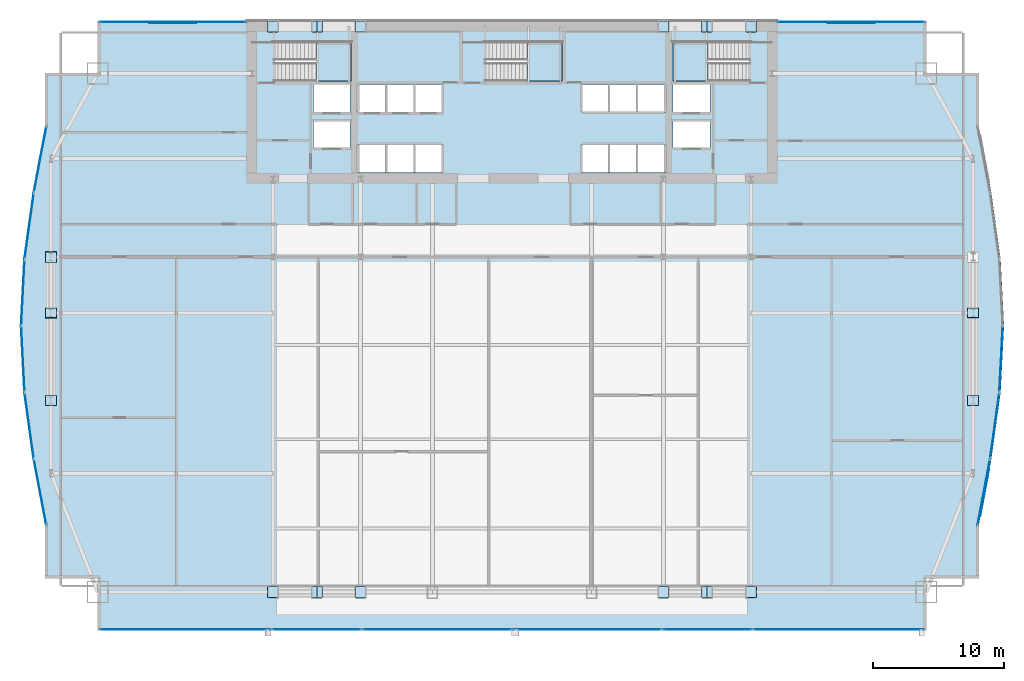
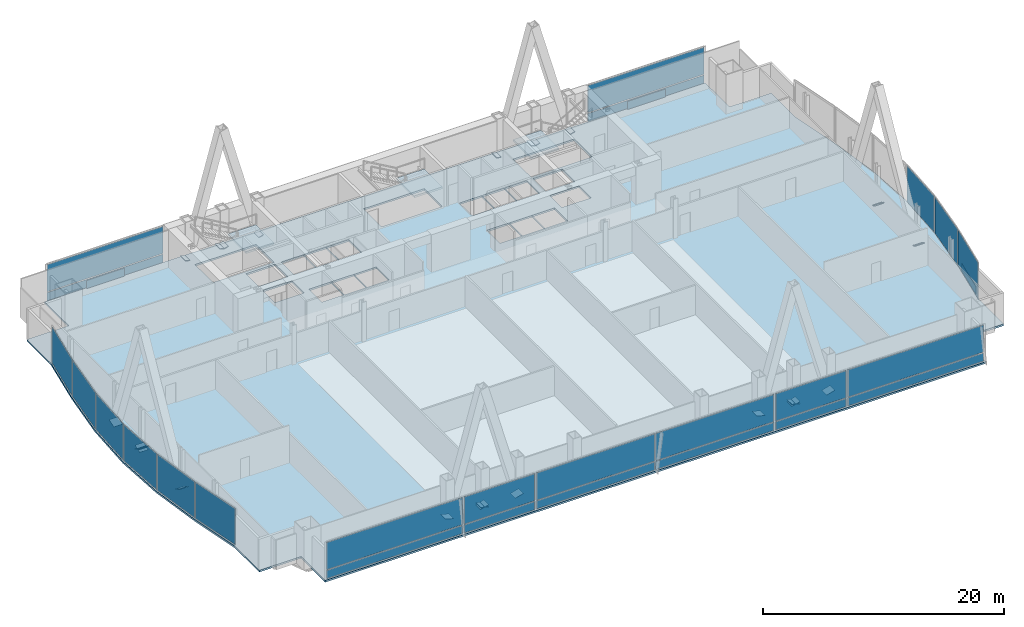
# One storey, part 28 of 37: 50 plates, 4 slabs, 19 elements without a shape of their own.
"""IFC4 building model written with IfcOpenShell, lengths in metres."""

from ifc_helpers import new_model, si_unit, direction, frame, origin, origin_2d, place, context, subcontext, project, spatial, polyline, rectangle, outline, extrude, material, layer, layer_set, type_object, element, aggregate, save


model = new_model("IFC4")

# Units and contexts
model_context = context("Model", 3, precision=1e-05, world=origin(), true_north=direction((0.0, 1.0)))
body_context = subcontext(model_context, "Body", "Model", "MODEL_VIEW")
ifc_project = project(units=[si_unit("LENGTHUNIT", "METRE"), si_unit("AREAUNIT", "SQUARE_METRE"), si_unit("VOLUMEUNIT", "CUBIC_METRE"), si_unit("PLANEANGLEUNIT", "RADIAN"), si_unit("MASSUNIT", "GRAM", prefix="KILO")], contexts=[model_context])

# Site, building, storey
site_placement = place(None, origin())
site = spatial("IfcSite", under=ifc_project, at=site_placement, CompositionType="ELEMENT")
building_placement = place(site_placement, origin())
building = spatial("IfcBuilding", under=site, at=building_placement, Name="Khoronbel Lancet Exchange", CompositionType="ELEMENT")
storey_placement = place(building_placement, frame((0.0, 0.0, 61.800048828125)))
storey = spatial("IfcBuildingStorey", under=building, at=storey_placement, Name="L14", CompositionType="ELEMENT", Elevation=61.800048828125)

# Curtain wall, plate
ifc_material_1 = material(Name="Low-E Solar Control Insulating Glass", Category="glass")
curtain_wall_type_1 = type_object("IfcCurtainWallType", Name="CW-4", PredefinedType="NOTDEFINED", material=ifc_material_1)
curtain_wall_1_placement = place(storey_placement, origin())
curtain_wall_1 = element("IfcCurtainWall", 1, at=curtain_wall_1_placement, inside=storey, type_object=curtain_wall_type_1, Name="Unitised curtain wall CW-L14-E05", PredefinedType="NOTDEFINED")
ifc_material_2 = material(Name="Bronze-Anodised Aluminium 6063-T6", Category="aluminium")
ifc_layer_1 = layer(ifc_material_2, 0.050048828125, Name="Bronze-Anodised Aluminium 6063-T6")
ifc_layer_set_1 = layer_set([ifc_layer_1], Name="Bronze-Anodised Aluminium 6063-T6")
plate_type_1 = type_object("IfcPlateType", Name="PLT-CSP1", PredefinedType="SHEET", material=ifc_layer_set_1)
plate_1_placement = place(storey_placement, frame((-0.379150390625, 22.836669921875, 0.0849609375), z_axis=(0.0, 0.0, 1.0), x_axis=(-0.137667785939, 0.9904784605, 0.0)))
plate_1 = element("IfcPlate", 2, at=plate_1_placement, type_object=plate_type_1, Name="CW4 panel 1.1", PredefinedType="CURTAIN_PANEL", context=body_context, shape_type="SweptSolid", body=[
    extrude(rectangle(XDim=4.97607421875, YDim=0.0380859375, at=origin_2d()), origin(), (0.0, 0.0, 1.0), 3.64990234375),
])
aggregate(curtain_wall_1, [plate_1])

curtain_wall_2_placement = place(storey_placement, origin())
curtain_wall_2 = element("IfcCurtainWall", 3, at=curtain_wall_2_placement, inside=storey, type_object=curtain_wall_type_1, Name="Unitised curtain wall CW-L14-E06", PredefinedType="NOTDEFINED")
plate_2_placement = place(storey_placement, frame((-0.861083984375, 27.91259765625, 0.0849609375), z_axis=(0.0, 0.0, 1.0), x_axis=(-0.050813125988, 0.998708178713, 0.0)))
plate_2 = element("IfcPlate", 4, at=plate_2_placement, type_object=plate_type_1, Name="CW4 panel 1.1", PredefinedType="CURTAIN_PANEL", context=body_context, shape_type="SweptSolid", body=[
    extrude(rectangle(XDim=4.931396484375, YDim=0.0380859375, at=origin_2d()), origin(), (0.0, 0.0, 1.0), 3.64990234375),
])
aggregate(curtain_wall_2, [plate_2])

curtain_wall_3_placement = place(storey_placement, origin())
curtain_wall_3 = element("IfcCurtainWall", 5, at=curtain_wall_3_placement, inside=storey, type_object=curtain_wall_type_1, Name="Unitised curtain wall CW-L14-E07", PredefinedType="NOTDEFINED")
plate_3_placement = place(storey_placement, frame((-0.861083984375, 32.9873046875, 0.0849609375), z_axis=(0.0, 0.0, 1.0), x_axis=(0.050813125988, 0.998708178713, 0.0)))
plate_3 = element("IfcPlate", 6, at=plate_3_placement, type_object=plate_type_1, Name="CW4 panel 1.1", PredefinedType="CURTAIN_PANEL", context=body_context, shape_type="SweptSolid", body=[
    extrude(rectangle(XDim=4.931396484375, YDim=0.0380859375, at=origin_2d()), origin(), (0.0, 0.0, 1.0), 3.64990234375),
])
aggregate(curtain_wall_3, [plate_3])

curtain_wall_4_placement = place(storey_placement, origin())
curtain_wall_4 = element("IfcCurtainWall", 7, at=curtain_wall_4_placement, inside=storey, type_object=curtain_wall_type_1, Name="Unitised curtain wall CW-L14-E08", PredefinedType="NOTDEFINED")
plate_4_placement = place(storey_placement, frame((-0.379150390625, 38.0634765625, 0.0849609375), z_axis=(0.0, 0.0, 1.0), x_axis=(0.137667785939, 0.9904784605, 0.0)))
plate_4 = element("IfcPlate", 8, at=plate_4_placement, type_object=plate_type_1, Name="CW4 panel 1.1", PredefinedType="CURTAIN_PANEL", context=body_context, shape_type="SweptSolid", body=[
    extrude(rectangle(XDim=4.97607421875, YDim=0.0380859375, at=origin_2d()), origin(), (0.0, 0.0, 1.0), 3.64990234375),
])
aggregate(curtain_wall_4, [plate_4])

curtain_wall_type_2 = type_object("IfcCurtainWallType", Name="CW-1", PredefinedType="NOTDEFINED", material=ifc_material_1)
curtain_wall_5_placement = place(storey_placement, origin())
curtain_wall_5 = element("IfcCurtainWall", 9, at=curtain_wall_5_placement, inside=storey, type_object=curtain_wall_type_2, Name="Unitised curtain wall CW-L14-NWFLK", PredefinedType="NOTDEFINED")
plate_5_placement = place(storey_placement, frame((10.580078125, 53.550048828125, 0.0498046875), z_axis=(0.0, 0.0, 1.0), x_axis=(-1.0, 0.0, 0.0)))
plate_5 = element("IfcPlate", 10, at=plate_5_placement, type_object=plate_type_1, Name="Insulated bronze spandrel cassette CW-L14-NWFLK", PredefinedType="SHEET", context=body_context, shape_type="SweptSolid", body=[
    extrude(rectangle(XDim=3.60009765625, YDim=0.050048828125, at=origin_2d()), origin(), (0.0, 0.0, 1.0), 0.800048828125),
])

curtain_wall_6_placement = place(storey_placement, origin())
curtain_wall_6 = element("IfcCurtainWall", 11, at=curtain_wall_6_placement, inside=storey, type_object=curtain_wall_type_2, Name="Unitised curtain wall CW-L14-NEFLK", PredefinedType="NOTDEFINED")
plate_6_placement = place(storey_placement, frame((62.320068359375, 53.550048828125, 0.0498046875), z_axis=(0.0, 0.0, 1.0), x_axis=(-1.0, 0.0, 0.0)))
plate_6 = element("IfcPlate", 12, at=plate_6_placement, type_object=plate_type_1, Name="Insulated bronze spandrel cassette CW-L14-NEFLK", PredefinedType="SHEET", context=body_context, shape_type="SweptSolid", body=[
    extrude(rectangle(XDim=3.60009765625, YDim=0.050048828125, at=origin_2d()), origin(), (0.0, 0.0, 1.0), 0.800048828125),
])

curtain_wall_7_placement = place(storey_placement, origin())
curtain_wall_7 = element("IfcCurtainWall", 13, at=curtain_wall_7_placement, inside=storey, type_object=curtain_wall_type_1, Name="Unitised curtain wall CW-L14-E20", PredefinedType="NOTDEFINED")
plate_7_placement = place(storey_placement, frame((73.76123046875, 27.91259765625, 0.0849609375), z_axis=(0.0, 0.0, 1.0), x_axis=(-0.050813125988, -0.998708178713, 0.0)))
plate_7 = element("IfcPlate", 14, at=plate_7_placement, type_object=plate_type_1, Name="CW4 panel 1.1", PredefinedType="CURTAIN_PANEL", context=body_context, shape_type="SweptSolid", body=[
    extrude(rectangle(XDim=4.931396484375, YDim=0.0380859375, at=origin_2d()), origin(), (0.0, 0.0, 1.0), 3.64990234375),
])
aggregate(curtain_wall_7, [plate_7])

curtain_wall_8_placement = place(storey_placement, origin())
curtain_wall_8 = element("IfcCurtainWall", 15, at=curtain_wall_8_placement, inside=storey, type_object=curtain_wall_type_1, Name="Unitised curtain wall CW-L14-E21", PredefinedType="NOTDEFINED")
plate_8_placement = place(storey_placement, frame((73.279296875, 22.836669921875, 0.0849609375), z_axis=(0.0, 0.0, 1.0), x_axis=(-0.137667785939, -0.9904784605, 0.0)))
plate_8 = element("IfcPlate", 16, at=plate_8_placement, type_object=plate_type_1, Name="CW4 panel 1.1", PredefinedType="CURTAIN_PANEL", context=body_context, shape_type="SweptSolid", body=[
    extrude(rectangle(XDim=4.97607421875, YDim=0.0380859375, at=origin_2d()), origin(), (0.0, 0.0, 1.0), 3.64990234375),
])
aggregate(curtain_wall_8, [plate_8])

curtain_wall_9_placement = place(storey_placement, origin())
curtain_wall_9 = element("IfcCurtainWall", 17, at=curtain_wall_9_placement, inside=storey, type_object=curtain_wall_type_1, Name="Unitised curtain wall CW-L14-E22", PredefinedType="NOTDEFINED")
plate_9_placement = place(storey_placement, frame((72.502197265625, 17.741943359375, 0.0498046875), z_axis=(0.0, 0.0, 1.0), x_axis=(-0.186551466034, -0.982445189576, 0.0)))
plate_9 = element("IfcPlate", 18, at=plate_9_placement, type_object=plate_type_1, Name="Insulated bronze spandrel cassette CW-L14-E22", PredefinedType="SHEET", context=body_context, shape_type="SweptSolid", body=[
    extrude(rectangle(XDim=3.60009765625, YDim=0.050048828125, at=origin_2d()), origin(), (0.0, 0.0, 1.0), 0.800048828125),
])

# Curtain wall, plates
curtain_wall_10_placement = place(storey_placement, origin())
curtain_wall_10 = element("IfcCurtainWall", 19, at=curtain_wall_10_placement, inside=storey, type_object=curtain_wall_type_2, Name="Unitised curtain wall CW-L14-SWB", PredefinedType="NOTDEFINED")
plate_10_placement = place(storey_placement, frame((21.550048828125, 7.2900390625, 0.0849609375), z_axis=(0.0, 0.0, 1.0), x_axis=(1.0, 0.0, 0.0)))
plate_10 = element("IfcPlate", 20, at=plate_10_placement, type_object=plate_type_1, Name="CW1 panel 1.1", PredefinedType="CURTAIN_PANEL", context=body_context, shape_type="SweptSolid", body=[
    extrude(rectangle(XDim=6.72998046875, YDim=0.0380859375, at=origin_2d()), origin(), (0.0, 0.0, 1.0), 0.822509765625),
])
plate_11_placement = place(storey_placement, frame((21.550048828125, 7.2900390625, 0.99267578125), z_axis=(0.0, 0.0, 1.0), x_axis=(1.0, 0.0, 0.0)))
plate_11 = element("IfcPlate", 21, at=plate_11_placement, type_object=plate_type_1, Name="CW1 panel 1.2", PredefinedType="CURTAIN_PANEL", context=body_context, shape_type="SweptSolid", body=[
    extrude(rectangle(XDim=6.72998046875, YDim=0.0380859375, at=origin_2d()), origin(), (0.0, 0.0, 1.0), 2.742431640625),
])
aggregate(curtain_wall_10, [plate_10, plate_11])

curtain_wall_11_placement = place(storey_placement, origin())
curtain_wall_11 = element("IfcCurtainWall", 22, at=curtain_wall_11_placement, inside=storey, type_object=curtain_wall_type_2, Name="Unitised curtain wall CW-L14-SEB", PredefinedType="NOTDEFINED")
plate_12_placement = place(storey_placement, frame((51.35009765625, 7.2900390625, 0.0849609375), z_axis=(0.0, 0.0, 1.0), x_axis=(1.0, 0.0, 0.0)))
plate_12 = element("IfcPlate", 23, at=plate_12_placement, type_object=plate_type_1, Name="CW1 panel 1.1", PredefinedType="CURTAIN_PANEL", context=body_context, shape_type="SweptSolid", body=[
    extrude(rectangle(XDim=6.72998046875, YDim=0.0380859375, at=origin_2d()), origin(), (0.0, 0.0, 1.0), 0.822509765625),
])
plate_13_placement = place(storey_placement, frame((51.35009765625, 7.2900390625, 0.99267578125), z_axis=(0.0, 0.0, 1.0), x_axis=(1.0, 0.0, 0.0)))
plate_13 = element("IfcPlate", 24, at=plate_13_placement, type_object=plate_type_1, Name="CW1 panel 1.2", PredefinedType="CURTAIN_PANEL", context=body_context, shape_type="SweptSolid", body=[
    extrude(rectangle(XDim=6.72998046875, YDim=0.0380859375, at=origin_2d()), origin(), (0.0, 0.0, 1.0), 2.742431640625),
])
aggregate(curtain_wall_11, [plate_12, plate_13])

# Plate
ifc_layer_2 = layer(ifc_material_1, 0.035888671875, Name="Low-E Solar Control Insulating Glass")
ifc_layer_set_2 = layer_set([ifc_layer_2], Name="Low-E Solar Control Insulating Glass")
plate_type_2 = type_object("IfcPlateType", Name="PLT-CWP1", PredefinedType="CURTAIN_PANEL", material=ifc_layer_set_2)
plate_14_placement = place(storey_placement, frame((10.580078125, 53.610107421875, 0.0849609375), z_axis=(0.0, 0.0, 1.0), x_axis=(-1.0, 0.0, 0.0)))
plate_14 = element("IfcPlate", 25, at=plate_14_placement, type_object=plate_type_2, Name="CW1 panel 1.1", PredefinedType="CURTAIN_PANEL", context=body_context, shape_type="SweptSolid", body=[
    extrude(rectangle(XDim=11.110107421875, YDim=0.0380859375, at=origin_2d()), origin(), (0.0, 0.0, 1.0), 0.822509765625),
])

plate_15_placement = place(storey_placement, frame((10.580078125, 53.610107421875, 0.99267578125), z_axis=(0.0, 0.0, 1.0), x_axis=(-1.0, 0.0, 0.0)))
plate_15 = element("IfcPlate", 26, at=plate_15_placement, type_object=plate_type_2, Name="CW1 panel 1.2", PredefinedType="CURTAIN_PANEL", context=body_context, shape_type="SweptSolid", body=[
    extrude(rectangle(XDim=11.110107421875, YDim=0.0380859375, at=origin_2d()), origin(), (0.0, 0.0, 1.0), 2.742431640625),
])

aggregate(curtain_wall_5, [plate_14, plate_15, plate_5])

plate_16_placement = place(storey_placement, frame((62.320068359375, 53.610107421875, 0.0849609375), z_axis=(0.0, 0.0, 1.0), x_axis=(-1.0, 0.0, 0.0)))
plate_16 = element("IfcPlate", 27, at=plate_16_placement, type_object=plate_type_2, Name="CW1 panel 1.1", PredefinedType="CURTAIN_PANEL", context=body_context, shape_type="SweptSolid", body=[
    extrude(rectangle(XDim=11.110107421875, YDim=0.0380859375, at=origin_2d()), origin(), (0.0, 0.0, 1.0), 0.822509765625),
])

plate_17_placement = place(storey_placement, frame((62.320068359375, 53.610107421875, 0.99267578125), z_axis=(0.0, 0.0, 1.0), x_axis=(-1.0, 0.0, 0.0)))
plate_17 = element("IfcPlate", 28, at=plate_17_placement, type_object=plate_type_2, Name="CW1 panel 1.2", PredefinedType="CURTAIN_PANEL", context=body_context, shape_type="SweptSolid", body=[
    extrude(rectangle(XDim=11.110107421875, YDim=0.0380859375, at=origin_2d()), origin(), (0.0, 0.0, 1.0), 2.742431640625),
])

aggregate(curtain_wall_6, [plate_16, plate_17, plate_6])

# Curtain wall, plates
curtain_wall_12_placement = place(storey_placement, origin())
curtain_wall_12 = element("IfcCurtainWall", 29, at=curtain_wall_12_placement, inside=storey, type_object=curtain_wall_type_2, Name="Unitised curtain wall CW-L14-SWV", PredefinedType="NOTDEFINED")
plate_18_placement = place(storey_placement, frame((11.52001953125, 7.2900390625, 0.0849609375), z_axis=(0.0, 0.0, 1.0), x_axis=(1.0, 0.0, 0.0)))
plate_18 = element("IfcPlate", 30, at=plate_18_placement, type_object=plate_type_2, Name="CW1 panel 1.1", PredefinedType="CURTAIN_PANEL", context=body_context, shape_type="SweptSolid", body=[
    extrude(rectangle(XDim=12.989990234375, YDim=0.0380859375, at=origin_2d()), origin(), (0.0, 0.0, 1.0), 0.822509765625),
])
plate_19_placement = place(storey_placement, frame((11.52001953125, 7.2900390625, 0.99267578125), z_axis=(0.0, 0.0, 1.0), x_axis=(1.0, 0.0, 0.0)))
plate_19 = element("IfcPlate", 31, at=plate_19_placement, type_object=plate_type_2, Name="CW1 panel 1.2", PredefinedType="CURTAIN_PANEL", context=body_context, shape_type="SweptSolid", body=[
    extrude(rectangle(XDim=12.989990234375, YDim=0.0380859375, at=origin_2d()), origin(), (0.0, 0.0, 1.0), 2.742431640625),
])
aggregate(curtain_wall_12, [plate_18, plate_19])

curtain_wall_13_placement = place(storey_placement, origin())
curtain_wall_13 = element("IfcCurtainWall", 32, at=curtain_wall_13_placement, inside=storey, type_object=curtain_wall_type_2, Name="Unitised curtain wall CW-L14-SCV", PredefinedType="NOTDEFINED")
plate_20_placement = place(storey_placement, frame((30.746337890625, 7.2900390625, 0.0849609375), z_axis=(0.0, 0.0, 1.0), x_axis=(1.0, 0.0, 0.0)))
plate_20 = element("IfcPlate", 33, at=plate_20_placement, type_object=plate_type_2, Name="CW1 panel 1.1", PredefinedType="CURTAIN_PANEL", context=body_context, shape_type="SweptSolid", body=[
    extrude(rectangle(XDim=11.322509765625, YDim=0.0380859375, at=origin_2d()), origin(), (0.0, 0.0, 1.0), 0.822509765625),
])
plate_21_placement = place(storey_placement, frame((30.746337890625, 7.2900390625, 0.99267578125), z_axis=(0.0, 0.0, 1.0), x_axis=(1.0, 0.0, 0.0)))
plate_21 = element("IfcPlate", 34, at=plate_21_placement, type_object=plate_type_2, Name="CW1 panel 1.2", PredefinedType="CURTAIN_PANEL", context=body_context, shape_type="SweptSolid", body=[
    extrude(rectangle(XDim=11.322509765625, YDim=0.0380859375, at=origin_2d()), origin(), (0.0, 0.0, 1.0), 2.742431640625),
])
plate_22_placement = place(storey_placement, frame((42.15380859375, 7.2900390625, 0.0849609375), z_axis=(0.0, 0.0, 1.0), x_axis=(1.0, 0.0, 0.0)))
plate_22 = element("IfcPlate", 35, at=plate_22_placement, type_object=plate_type_2, Name="CW1 panel 2.1", PredefinedType="CURTAIN_PANEL", context=body_context, shape_type="SweptSolid", body=[
    extrude(rectangle(XDim=11.322509765625, YDim=0.0380859375, at=origin_2d()), origin(), (0.0, 0.0, 1.0), 0.822509765625),
])
plate_23_placement = place(storey_placement, frame((42.15380859375, 7.2900390625, 0.99267578125), z_axis=(0.0, 0.0, 1.0), x_axis=(1.0, 0.0, 0.0)))
plate_23 = element("IfcPlate", 36, at=plate_23_placement, type_object=plate_type_2, Name="CW1 panel 2.2", PredefinedType="CURTAIN_PANEL", context=body_context, shape_type="SweptSolid", body=[
    extrude(rectangle(XDim=11.322509765625, YDim=0.0380859375, at=origin_2d()), origin(), (0.0, 0.0, 1.0), 2.742431640625),
])
aggregate(curtain_wall_13, [plate_20, plate_21, plate_22, plate_23])

curtain_wall_14_placement = place(storey_placement, origin())
curtain_wall_14 = element("IfcCurtainWall", 37, at=curtain_wall_14_placement, inside=storey, type_object=curtain_wall_type_2, Name="Unitised curtain wall CW-L14-SEV", PredefinedType="NOTDEFINED")
plate_24_placement = place(storey_placement, frame((61.3798828125, 7.2900390625, 0.0849609375), z_axis=(0.0, 0.0, 1.0), x_axis=(1.0, 0.0, 0.0)))
plate_24 = element("IfcPlate", 38, at=plate_24_placement, type_object=plate_type_2, Name="CW1 panel 1.1", PredefinedType="CURTAIN_PANEL", context=body_context, shape_type="SweptSolid", body=[
    extrude(rectangle(XDim=12.989990234375, YDim=0.0380859375, at=origin_2d()), origin(), (0.0, 0.0, 1.0), 0.822509765625),
])
plate_25_placement = place(storey_placement, frame((61.3798828125, 7.2900390625, 0.99267578125), z_axis=(0.0, 0.0, 1.0), x_axis=(1.0, 0.0, 0.0)))
plate_25 = element("IfcPlate", 39, at=plate_25_placement, type_object=plate_type_2, Name="CW1 panel 1.2", PredefinedType="CURTAIN_PANEL", context=body_context, shape_type="SweptSolid", body=[
    extrude(rectangle(XDim=12.989990234375, YDim=0.0380859375, at=origin_2d()), origin(), (0.0, 0.0, 1.0), 2.742431640625),
])
aggregate(curtain_wall_14, [plate_24, plate_25])

# Curtain wall, plate
curtain_wall_15_placement = place(storey_placement, origin())
curtain_wall_15 = element("IfcCurtainWall", 40, at=curtain_wall_15_placement, inside=storey, type_object=curtain_wall_type_1, Name="Unitised curtain wall CW-L14-E04", PredefinedType="NOTDEFINED")
ifc_material_3 = material(Name="Ceramic-Fritted Laminated Insulating Glass", Category="glass")
ifc_layer_3 = layer(ifc_material_3, 0.0419921875, Name="Ceramic-Fritted Laminated Insulating Glass")
ifc_layer_set_3 = layer_set([ifc_layer_3], Name="Ceramic-Fritted Laminated Insulating Glass")
plate_type_3 = type_object("IfcPlateType", Name="PLT-CWP2", PredefinedType="CURTAIN_PANEL", material=ifc_layer_set_3)
plate_26_placement = place(storey_placement, frame((0.456787109375, 17.753173828125, 0.0849609375), z_axis=(0.0, 0.0, 1.0), x_axis=(-0.186551466034, 0.982445189576, 0.0)))
plate_26 = element("IfcPlate", 41, at=plate_26_placement, type_object=plate_type_3, Name="CW4 panel 1.1", PredefinedType="CURTAIN_PANEL", context=body_context, shape_type="SweptSolid", body=[
    extrude(rectangle(XDim=5.0302734375, YDim=0.0380859375, at=origin_2d()), origin(), (0.0, 0.0, 1.0), 3.64990234375),
])
aggregate(curtain_wall_15, [plate_26])

curtain_wall_16_placement = place(storey_placement, origin())
curtain_wall_16 = element("IfcCurtainWall", 42, at=curtain_wall_16_placement, inside=storey, type_object=curtain_wall_type_1, Name="Unitised curtain wall CW-L14-E09", PredefinedType="NOTDEFINED")
plate_27_placement = place(storey_placement, frame((0.456787109375, 43.146728515625, 0.0849609375), z_axis=(0.0, 0.0, 1.0), x_axis=(0.186551466034, 0.982445189576, 0.0)))
plate_27 = element("IfcPlate", 43, at=plate_27_placement, type_object=plate_type_3, Name="CW4 panel 1.1", PredefinedType="CURTAIN_PANEL", context=body_context, shape_type="SweptSolid", body=[
    extrude(rectangle(XDim=5.0302734375, YDim=0.0380859375, at=origin_2d()), origin(), (0.0, 0.0, 1.0), 3.64990234375),
])
aggregate(curtain_wall_16, [plate_27])

# Plate
plate_28_placement = place(storey_placement, frame((72.443115234375, 17.753173828125, 0.0849609375), z_axis=(0.0, 0.0, 1.0), x_axis=(-0.186551466034, -0.982445189576, 0.0)))
plate_28 = element("IfcPlate", 44, at=plate_28_placement, type_object=plate_type_3, Name="CW4 panel 1.1", PredefinedType="CURTAIN_PANEL", context=body_context, shape_type="SweptSolid", body=[
    extrude(rectangle(XDim=5.0302734375, YDim=0.0380859375, at=origin_2d()), origin(), (0.0, 0.0, 1.0), 3.64990234375),
])

aggregate(curtain_wall_9, [plate_28, plate_9])

# Plates
ifc_material_4 = material(Name="Steel S460", Category="steel")
ifc_layer_4 = layer(ifc_material_4, 0.044921875, Name="Steel S460")
ifc_layer_set_4 = layer_set([ifc_layer_4], Name="Steel S460")
plate_type_4 = type_object("IfcPlateType", Name="PLT-ECP1", PredefinedType="USERDEFINED", material=ifc_layer_set_4)
for number, where, z_axis, x_axis, name in (
    (45, (21.97607421875, 9.72998046875, -0.080810546875), (0.26795862665, 0.0, 0.963430420115), (0.0, 1.0, 0.0), "Hollow end cap plate PLT-CAP-MEM-MB-T03-S-W-L-1"),
    (46, (21.14892578125, 10.570068359375, -0.080810546875), (-0.26795862665, 0.0, 0.963430420115), (0.0, -1.0, 0.0), "Hollow end cap plate PLT-CAP-MEM-MB-T03-S-W-R-1"),
    (47, (51.7509765625, 9.72998046875, -0.080810546875), (0.26795862665, 0.0, 0.963430420115), (0.0, 1.0, 0.0), "Hollow end cap plate PLT-CAP-MEM-MB-T03-S-E-L-1"),
    (48, (50.924072265625, 10.570068359375, -0.080810546875), (-0.26795862665, 0.0, 0.963430420115), (0.0, -1.0, 0.0), "Hollow end cap plate PLT-CAP-MEM-MB-T03-S-E-R-1"),
):
    element("IfcPlate", number, at=place(storey_placement, frame(where, z_axis=z_axis, x_axis=x_axis)), inside=storey, type_object=plate_type_4, Name=name, ObjectType="STIFFENER_PLATE", PredefinedType="USERDEFINED", context=body_context, shape_type="SweptSolid", body=[
        extrude(outline(polyline([(0.0, 0.0), (0.840087890625, 0.0), (0.840087890625, 0.840087890625), (0.0, 0.840087890625), (0.0, 0.0)])), origin(), (0.0, 0.0, -1.0), 0.044921875),
    ])
for number, where, z_axis, x_axis, name in (
    (49, (21.97607421875, 52.860107421875, -0.080810546875), (0.26795862665, 0.0, 0.963430420115), (0.0, 1.0, 0.0), "Hollow end cap plate PLT-CAP-MEM-MB-T03-N-W-L-1"),
    (50, (21.14892578125, 53.699951171875, -0.080810546875), (-0.26795862665, 0.0, 0.963430420115), (0.0, -1.0, 0.0), "Hollow end cap plate PLT-CAP-MEM-MB-T03-N-W-R-1"),
    (51, (51.7509765625, 52.860107421875, -0.080810546875), (0.26795862665, 0.0, 0.963430420115), (0.0, 1.0, 0.0), "Hollow end cap plate PLT-CAP-MEM-MB-T03-N-E-L-1"),
    (52, (50.924072265625, 53.699951171875, -0.080810546875), (-0.26795862665, 0.0, 0.963430420115), (0.0, -1.0, 0.0), "Hollow end cap plate PLT-CAP-MEM-MB-T03-N-E-R-1"),
    (53, (1.68994140625, 31.80810546875, -0.17529296875), (0.0, 0.485963708226, 0.873978989614), (-1.0, 0.0, 0.0), "Hollow end cap plate PLT-CAP-MEM-MB-T03-W-P-L-1"),
):
    element("IfcPlate", number, at=place(storey_placement, frame(where, z_axis=z_axis, x_axis=x_axis)), inside=storey, type_object=plate_type_4, Name=name, ObjectType="STIFFENER_PLATE", PredefinedType="USERDEFINED", context=body_context, shape_type="SweptSolid", body=[
        extrude(outline(polyline([(0.0, 0.0), (0.83984375, 0.0), (0.83984375, 0.840087890625), (0.0, 0.840087890625), (0.0, 0.0)])), origin(), (0.0, 0.0, -1.0), 0.044921875),
    ])
plate_29_placement = place(storey_placement, frame((0.85009765625, 31.018310546875, -0.10986328125), z_axis=(0.0, -0.335433979759, 0.942063716116), x_axis=(1.0, 0.0, 0.0)))
element("IfcPlate", 54, at=plate_29_placement, inside=storey, type_object=plate_type_4, Name="Hollow end cap plate PLT-CAP-MEM-MB-T03-W-P-R-1", ObjectType="STIFFENER_PLATE", PredefinedType="USERDEFINED", context=body_context, shape_type="SweptSolid", body=[
    extrude(outline(polyline([(0.0, 0.0), (0.83984375, 0.0), (0.83984375, 0.83984375), (0.0, 0.83984375), (0.0, 0.0)])), origin(), (0.0, 0.0, -1.0), 0.044921875),
])
for number, where, z_axis, x_axis, name in (
    (55, (72.050048828125, 31.80810546875, -0.17529296875), (0.0, 0.485963708226, 0.873978989614), (-1.0, 0.0, 0.0), "Hollow end cap plate PLT-CAP-MEM-MB-T03-E-P-L-1"),
    (56, (18.6328125, 9.72998046875, -0.10107421875), (0.26795862665, 0.0, 0.963430420115), (0.0, 1.0, 0.0), "Hollow end cap plate PLT-CAP-MEM-MB-T04-S-W-L-0"),
    (57, (24.4921875, 10.570068359375, -0.10107421875), (-0.26795862665, 0.0, 0.963430420115), (0.0, -1.0, 0.0), "Hollow end cap plate PLT-CAP-MEM-MB-T04-S-W-R-0"),
    (58, (48.407958984375, 9.72998046875, -0.10107421875), (0.26795862665, 0.0, 0.963430420115), (0.0, 1.0, 0.0), "Hollow end cap plate PLT-CAP-MEM-MB-T04-S-E-L-0"),
    (59, (54.26708984375, 10.570068359375, -0.10107421875), (-0.26795862665, 0.0, 0.963430420115), (0.0, -1.0, 0.0), "Hollow end cap plate PLT-CAP-MEM-MB-T04-S-E-R-0"),
):
    element("IfcPlate", number, at=place(storey_placement, frame(where, z_axis=z_axis, x_axis=x_axis)), inside=storey, type_object=plate_type_4, Name=name, ObjectType="STIFFENER_PLATE", PredefinedType="USERDEFINED", context=body_context, shape_type="SweptSolid", body=[
        extrude(outline(polyline([(0.0, 0.0), (0.840087890625, 0.0), (0.840087890625, 0.840087890625), (0.0, 0.840087890625), (0.0, 0.0)])), origin(), (0.0, 0.0, -1.0), 0.044921875),
    ])
for number, where, z_axis, x_axis, name in (
    (60, (18.6328125, 52.860107421875, -0.10107421875), (0.26795862665, 0.0, 0.963430420115), (0.0, 1.0, 0.0), "Hollow end cap plate PLT-CAP-MEM-MB-T04-N-W-L-0"),
    (61, (24.4921875, 53.699951171875, -0.10107421875), (-0.26795862665, 0.0, 0.963430420115), (0.0, -1.0, 0.0), "Hollow end cap plate PLT-CAP-MEM-MB-T04-N-W-R-0"),
    (62, (48.407958984375, 52.860107421875, -0.10107421875), (0.26795862665, 0.0, 0.963430420115), (0.0, 1.0, 0.0), "Hollow end cap plate PLT-CAP-MEM-MB-T04-N-E-L-0"),
    (63, (54.26708984375, 53.699951171875, -0.10107421875), (-0.26795862665, 0.0, 0.963430420115), (0.0, -1.0, 0.0), "Hollow end cap plate PLT-CAP-MEM-MB-T04-N-E-R-0"),
):
    element("IfcPlate", number, at=place(storey_placement, frame(where, z_axis=z_axis, x_axis=x_axis)), inside=storey, type_object=plate_type_4, Name=name, ObjectType="STIFFENER_PLATE", PredefinedType="USERDEFINED", context=body_context, shape_type="SweptSolid", body=[
        extrude(outline(polyline([(0.0, 0.0), (0.83984375, 0.0), (0.83984375, 0.840087890625), (0.0, 0.840087890625), (0.0, 0.0)])), origin(), (0.0, 0.0, -1.0), 0.044921875),
    ])
for number, where, z_axis, x_axis, name in (
    (64, (1.68994140625, 25.122802734375, -0.19384765625), (0.0, 0.486309162349, 0.873786815314), (-1.0, 0.0, 0.0), "Hollow end cap plate PLT-CAP-MEM-MB-T04-W-P-L-0"),
    (65, (0.85009765625, 35.30029296875, -0.129638671875), (0.0, -0.335433979759, 0.942063716116), (1.0, 0.0, 0.0), "Hollow end cap plate PLT-CAP-MEM-MB-T04-W-P-R-0"),
):
    element("IfcPlate", number, at=place(storey_placement, frame(where, z_axis=z_axis, x_axis=x_axis)), inside=storey, type_object=plate_type_4, Name=name, ObjectType="STIFFENER_PLATE", PredefinedType="USERDEFINED", context=body_context, shape_type="SweptSolid", body=[
        extrude(outline(polyline([(0.0, 0.0), (0.83984375, 0.0), (0.83984375, 0.83984375), (0.0, 0.83984375), (0.0, 0.0)])), origin(), (0.0, 0.0, -1.0), 0.044921875),
    ])
plate_30_placement = place(storey_placement, frame((72.050048828125, 25.122802734375, -0.19384765625), z_axis=(0.0, 0.486309162349, 0.873786815314), x_axis=(-1.0, 0.0, 0.0)))
element("IfcPlate", 66, at=plate_30_placement, inside=storey, type_object=plate_type_4, Name="Hollow end cap plate PLT-CAP-MEM-MB-T04-E-P-L-0", ObjectType="STIFFENER_PLATE", PredefinedType="USERDEFINED", context=body_context, shape_type="SweptSolid", body=[
    extrude(outline(polyline([(0.0, 0.0), (0.840087890625, 0.0), (0.840087890625, 0.83984375), (0.0, 0.83984375), (0.0, 0.0)])), origin(), (0.0, 0.0, -1.0), 0.044921875),
])

# Slab
ifc_material_5 = material(Name="Concrete C40/50", Category="concrete")
ifc_layer_5 = layer(ifc_material_5, 0.179931640625, Name="Concrete C40/50")
ifc_layer_set_5 = layer_set([ifc_layer_5], Name="Concrete C40/50")
slab_type_1 = type_object("IfcSlabType", Name="SL-FL180", PredefinedType="FLOOR", material=ifc_layer_set_5)
slab_1_placement = place(storey_placement, frame((0.0, 0.0, -0.179931640625)))
element("IfcSlab", 67, at=slab_1_placement, inside=storey, type_object=slab_type_1, Name="Level L14 composite structural floor slab", PredefinedType="FLOOR", context=body_context, shape_type="SweptSolid", body=[
    extrude(outline(polyline([(4.85009765625, 7.199951171875), (68.050048828125, 7.199951171875), (68.050048828125, 11.199951171875), (72.050048828125, 11.199951171875), (72.050048828125, 15.199951171875), (73.01513671875, 20.283203125), (73.7216796875, 25.36669921875), (73.98046875, 30.449951171875), (73.7216796875, 35.533203125), (73.01513671875, 40.61669921875), (72.050048828125, 45.699951171875), (72.050048828125, 49.699951171875), (68.050048828125, 49.699951171875), (68.050048828125, 53.699951171875), (4.85009765625, 53.699951171875), (4.85009765625, 49.699951171875), (0.85009765625, 49.699951171875), (0.85009765625, 45.699951171875), (-0.115234375, 40.61669921875), (-0.82177734375, 35.533203125), (-1.080322265625, 30.449951171875), (-0.82177734375, 25.36669921875), (-0.115234375, 20.283203125), (0.85009765625, 15.199951171875), (0.85009765625, 11.199951171875), (4.85009765625, 11.199951171875), (4.85009765625, 7.199951171875)]), holes=[polyline([(18.324951171875, 49.1201171875), (24.14990234375, 49.1201171875), (24.14990234375, 52.10009765625), (18.324951171875, 52.10009765625), (18.324951171875, 49.1201171875)]), polyline([(48.75, 49.1201171875), (54.574951171875, 49.1201171875), (54.574951171875, 52.10009765625), (48.75, 52.10009765625), (48.75, 49.1201171875)]), polyline([(34.425048828125, 49.1201171875), (40.25, 49.1201171875), (40.25, 52.10009765625), (34.425048828125, 52.10009765625), (34.425048828125, 49.1201171875)]), polyline([(24.699951171875, 46.75), (26.840087890625, 46.75), (26.840087890625, 48.85009765625), (24.699951171875, 48.85009765625), (24.699951171875, 46.75)]), polyline([(26.860107421875, 46.75), (29.0, 46.75), (29.0, 48.85009765625), (26.860107421875, 48.85009765625), (26.860107421875, 46.75)]), polyline([(29.02001953125, 46.75), (31.159912109375, 46.75), (31.159912109375, 48.85009765625), (29.02001953125, 48.85009765625), (29.02001953125, 46.75)]), polyline([(24.699951171875, 42.14990234375), (26.840087890625, 42.14990234375), (26.840087890625, 44.300048828125), (24.699951171875, 44.300048828125), (24.699951171875, 42.14990234375)]), polyline([(26.860107421875, 42.14990234375), (29.0, 42.14990234375), (29.0, 44.300048828125), (26.860107421875, 44.300048828125), (26.860107421875, 42.14990234375)]), polyline([(29.02001953125, 42.14990234375), (31.159912109375, 42.14990234375), (31.159912109375, 44.300048828125), (29.02001953125, 44.300048828125), (29.02001953125, 42.14990234375)]), polyline([(41.739990234375, 46.75), (43.8798828125, 46.75), (43.8798828125, 48.85009765625), (41.739990234375, 48.85009765625), (41.739990234375, 46.75)]), polyline([(43.89990234375, 46.75), (46.0400390625, 46.75), (46.0400390625, 48.85009765625), (43.89990234375, 48.85009765625), (43.89990234375, 46.75)]), polyline([(46.06005859375, 46.75), (48.199951171875, 46.75), (48.199951171875, 48.85009765625), (46.06005859375, 48.85009765625), (46.06005859375, 46.75)]), polyline([(41.739990234375, 42.14990234375), (43.8798828125, 42.14990234375), (43.8798828125, 44.300048828125), (41.739990234375, 44.300048828125), (41.739990234375, 42.14990234375)]), polyline([(43.89990234375, 42.14990234375), (46.0400390625, 42.14990234375), (46.0400390625, 44.300048828125), (43.89990234375, 44.300048828125), (43.89990234375, 42.14990234375)]), polyline([(46.06005859375, 42.14990234375), (48.199951171875, 42.14990234375), (48.199951171875, 44.300048828125), (46.06005859375, 44.300048828125), (46.06005859375, 42.14990234375)]), polyline([(21.300048828125, 46.75), (24.10009765625, 46.75), (24.10009765625, 48.85009765625), (21.300048828125, 48.85009765625), (21.300048828125, 46.75)]), polyline([(48.75, 46.75), (51.550048828125, 46.75), (51.550048828125, 48.85009765625), (48.75, 48.85009765625), (48.75, 46.75)]), polyline([(21.300048828125, 44.050048828125), (24.10009765625, 44.050048828125), (24.10009765625, 46.050048828125), (21.300048828125, 46.050048828125), (21.300048828125, 44.050048828125)]), polyline([(48.75, 44.050048828125), (51.550048828125, 44.050048828125), (51.550048828125, 46.050048828125), (48.75, 46.050048828125), (48.75, 44.050048828125)])]), origin(), (0.0, 0.0, 1.0), 0.179931640625),
])

# Stair, slab
stair_type = type_object("IfcStairType", Name="STR-CORE150", PredefinedType="HALF_TURN_STAIR", material=ifc_material_5)
stair_1_placement = place(storey_placement, origin())
stair_1 = element("IfcStair", 68, at=stair_1_placement, inside=storey, type_object=stair_type, Name="L14 Protected Exit Stair ST1", PredefinedType="HALF_TURN_STAIR")
ifc_layer_6 = layer(ifc_material_5, 0.199951171875, Name="Concrete C40/50")
ifc_layer_set_6 = layer_set([ifc_layer_6], Name="Concrete C40/50")
slab_type_2 = type_object("IfcSlabType", Name="SL-LND180", PredefinedType="LANDING", material=ifc_layer_set_6)
slab_2_placement = place(storey_placement, frame((0.0, 0.0, 1.800048828125)))
slab_2 = element("IfcSlab", 69, at=slab_2_placement, type_object=slab_type_2, Name="ST1 landing 1", PredefinedType="LANDING", context=body_context, shape_type="SweptSolid", body=[
    extrude(outline(polyline([(21.489990234375, 49.1201171875), (24.14990234375, 49.1201171875), (24.14990234375, 52.10009765625), (21.489990234375, 52.10009765625), (21.489990234375, 49.1201171875)])), origin(), (0.0, 0.0, 1.0), 0.199951171875),
])
aggregate(stair_1, [slab_2])

stair_2_placement = place(storey_placement, origin())
stair_2 = element("IfcStair", 70, at=stair_2_placement, inside=storey, type_object=stair_type, Name="L14 Protected Exit Stair ST2", PredefinedType="HALF_TURN_STAIR")
slab_3_placement = place(storey_placement, frame((0.0, 0.0, 1.800048828125)))
slab_3 = element("IfcSlab", 71, at=slab_3_placement, type_object=slab_type_2, Name="ST2 landing 1", PredefinedType="LANDING", context=body_context, shape_type="SweptSolid", body=[
    extrude(outline(polyline([(51.409912109375, 52.10009765625), (48.75, 52.10009765625), (48.75, 49.1201171875), (51.409912109375, 49.1201171875), (51.409912109375, 52.10009765625)])), origin(), (0.0, 0.0, 1.0), 0.199951171875),
])
aggregate(stair_2, [slab_3])

stair_3_placement = place(storey_placement, origin())
stair_3 = element("IfcStair", 72, at=stair_3_placement, inside=storey, type_object=stair_type, Name="L14 Protected Exit Stair ST3", PredefinedType="HALF_TURN_STAIR")
slab_4_placement = place(storey_placement, frame((0.0, 0.0, 1.800048828125)))
slab_4 = element("IfcSlab", 73, at=slab_4_placement, type_object=slab_type_2, Name="ST3 landing 1", PredefinedType="LANDING", context=body_context, shape_type="SweptSolid", body=[
    extrude(outline(polyline([(37.590087890625, 49.1201171875), (40.25, 49.1201171875), (40.25, 52.10009765625), (37.590087890625, 52.10009765625), (37.590087890625, 49.1201171875)])), origin(), (0.0, 0.0, 1.0), 0.199951171875),
])
aggregate(stair_3, [slab_4])

save(model, "model.ifc")
